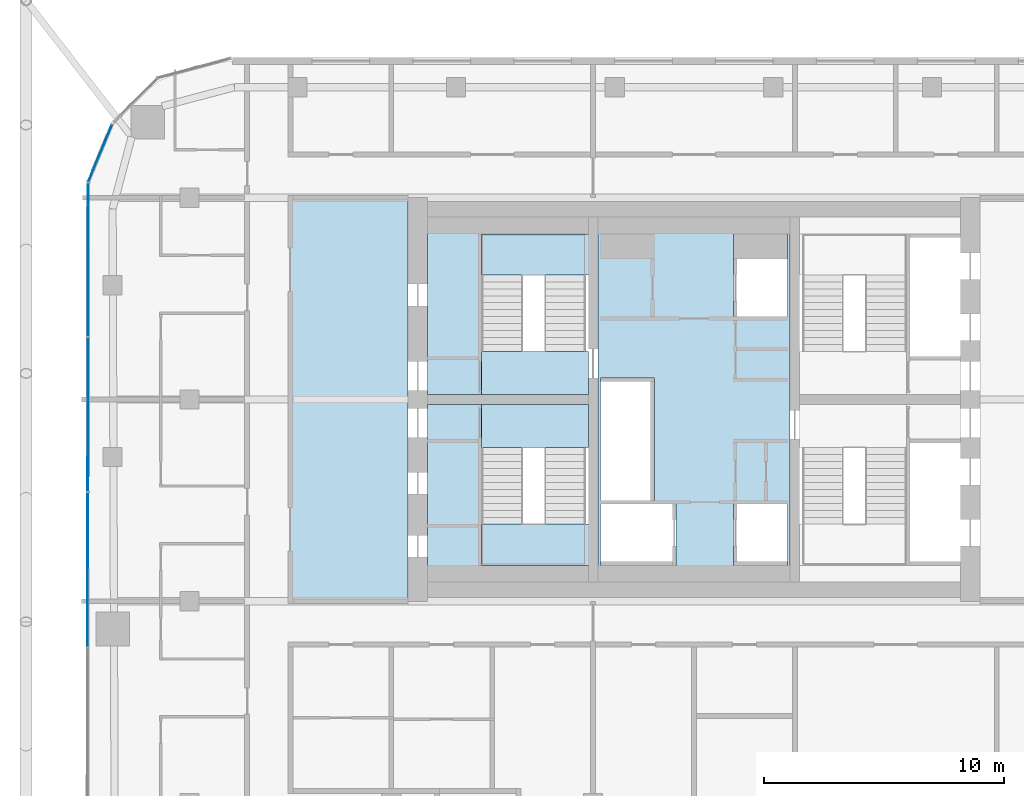
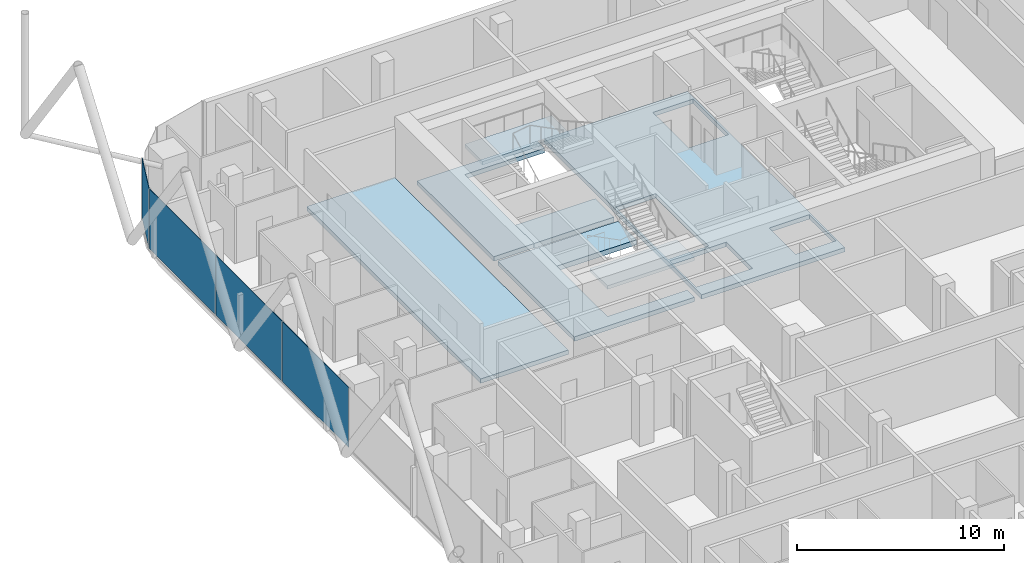
# One storey, part 17 of 28: 8 slabs, 4 plates, 4 elements without a shape of their own.
"""IFC4 building model written with IfcOpenShell, lengths in metres."""

from ifc_helpers import new_model, si_unit, direction, frame, origin, origin_2d, place, context, subcontext, project, spatial, polyline, rectangle, outline, extrude, material, layer, layer_set, type_object, element, aggregate, save


model = new_model("IFC4")

# Units and contexts
model_context = context("Model", 3, precision=1e-05, world=origin(), true_north=direction((0.0, 1.0)))
body_context = subcontext(model_context, "Body", "Model", "MODEL_VIEW")
ifc_project = project(units=[si_unit("LENGTHUNIT", "METRE"), si_unit("AREAUNIT", "SQUARE_METRE"), si_unit("VOLUMEUNIT", "CUBIC_METRE"), si_unit("PLANEANGLEUNIT", "RADIAN"), si_unit("MASSUNIT", "GRAM", prefix="KILO")], contexts=[model_context])

# Site, building, storey
site_placement = place(None, origin())
site = spatial("IfcSite", under=ifc_project, at=site_placement, CompositionType="ELEMENT")
building_placement = place(site_placement, origin())
building = spatial("IfcBuilding", under=site, at=building_placement, Name="Marenta Gate Hotel Tower", CompositionType="ELEMENT")
storey_placement = place(building_placement, frame((0.0, 0.0, 241.699951171875)))
storey = spatial("IfcBuildingStorey", under=building, at=storey_placement, Name="L57", CompositionType="ELEMENT", Elevation=241.699951171875)

# Slabs
ifc_material_1 = material(Name="Concrete C40", Category="concrete")
ifc_layer_1 = layer(ifc_material_1, 0.260009765625)
ifc_layer_set_1 = layer_set([ifc_layer_1], Name="Concrete C40")
slab_type_1 = type_object("IfcSlabType", Name="Core floor slab 260", PredefinedType="FLOOR", material=ifc_layer_set_1)
slab_1_placement = place(storey_placement, frame((0.0, 0.0, -0.260009765625)))
element("IfcSlab", 1, at=slab_1_placement, inside=storey, type_object=slab_type_1, Name="L57-CF-4", PredefinedType="FLOOR", context=body_context, shape_type="SweptSolid", body=[
    extrude(outline(polyline([(4.0, 15.300048828125), (4.0, 10.39990234375), (4.0, 6.39990234375), (4.0, 1.5), (4.0, 0.800048828125), (-4.0, 0.800048828125), (-4.0, 1.5), (-4.0, 6.39990234375), (-4.0, 10.39990234375), (-4.0, 15.300048828125), (-4.0, 16.0), (4.0, 16.0), (4.0, 15.300048828125)]), holes=[polyline([(1.64990234375, 14.25), (1.64990234375, 11.85009765625), (1.800048828125, 11.85009765625), (3.89990234375, 11.85009765625), (3.89990234375, 14.25), (3.89990234375, 15.300048828125), (1.64990234375, 15.300048828125), (1.64990234375, 14.25)]), polyline([(3.89990234375, 1.64990234375), (3.89990234375, 4.050048828125), (1.800048828125, 4.050048828125), (1.64990234375, 4.050048828125), (1.64990234375, 1.64990234375), (1.64990234375, 1.5), (3.89990234375, 1.5), (3.89990234375, 1.64990234375)]), polyline([(-3.89990234375, 1.64990234375), (-3.89990234375, 1.5), (-0.89990234375, 1.5), (-0.75, 1.5), (-0.75, 4.050048828125), (-0.89990234375, 4.050048828125), (-3.89990234375, 4.050048828125), (-3.89990234375, 1.64990234375)]), polyline([(-1.800048828125, 4.199951171875), (-1.64990234375, 4.199951171875), (-1.64990234375, 9.14990234375), (-1.64990234375, 9.300048828125), (-3.89990234375, 9.300048828125), (-3.89990234375, 9.14990234375), (-3.89990234375, 6.75), (-3.89990234375, 6.60009765625), (-3.89990234375, 4.199951171875), (-1.800048828125, 4.199951171875)])]), origin(), (0.0, 0.0, 1.0), 0.260009765625),
])
slab_2_placement = place(storey_placement, frame((0.0, 0.0, -0.260009765625)))
element("IfcSlab", 2, at=slab_2_placement, inside=storey, type_object=slab_type_1, Name="L57-CF-5", PredefinedType="FLOOR", context=body_context, shape_type="SweptSolid", body=[
    extrude(outline(polyline([(-8.85009765625, 8.199951171875), (-8.85009765625, 8.10009765625), (-8.85009765625, 6.39990234375), (-8.85009765625, 1.5), (-4.39990234375, 1.5), (-4.39990234375, 0.800048828125), (-11.10009765625, 0.800048828125), (-11.10009765625, 8.199951171875), (-8.85009765625, 8.199951171875)])), origin(), (0.0, 0.0, 1.0), 0.260009765625),
])
slab_3_placement = place(storey_placement, frame((0.0, 0.0, -0.260009765625)))
element("IfcSlab", 3, at=slab_3_placement, inside=storey, type_object=slab_type_1, Name="L57-CF-6", PredefinedType="FLOOR", context=body_context, shape_type="SweptSolid", body=[
    extrude(outline(polyline([(-4.39990234375, 15.300048828125), (-8.85009765625, 15.300048828125), (-8.85009765625, 10.39990234375), (-8.85009765625, 8.699951171875), (-8.85009765625, 8.60009765625), (-11.10009765625, 8.60009765625), (-11.10009765625, 16.0), (-4.39990234375, 16.0), (-4.39990234375, 15.300048828125)])), origin(), (0.0, 0.0, 1.0), 0.260009765625),
])
slab_4_placement = place(storey_placement, frame((0.0, 0.0, -0.260009765625)))
element("IfcSlab", 4, at=slab_4_placement, inside=storey, type_object=slab_type_1, Name="L57-CF-7", PredefinedType="FLOOR", context=body_context, shape_type="SweptSolid", body=[
    extrude(outline(polyline([(-11.89990234375, 16.800048828125), (-11.89990234375, 0.0), (-16.800048828125, 0.0), (-16.800048828125, 16.800048828125), (-11.89990234375, 16.800048828125)])), origin(), (0.0, 0.0, 1.0), 0.260009765625),
])

# Stair, slab
ifc_material_2 = material(Name="Concrete C40", Category="concrete")
stair_type = type_object("IfcStairType", Name="Core exit stair 1700 wide", PredefinedType="HALF_TURN_STAIR", material=ifc_material_2)
stair_1_placement = place(storey_placement, origin())
stair_1 = element("IfcStair", 5, at=stair_1_placement, inside=storey, type_object=stair_type, Name="Exit stair 1", PredefinedType="HALF_TURN_STAIR")
ifc_material_3 = material(Name="Concrete C40", Category="concrete")
ifc_layer_2 = layer(ifc_material_3, 0.199951171875)
ifc_layer_set_2 = layer_set([ifc_layer_2], Name="Concrete C40")
slab_type_2 = type_object("IfcSlabType", Name="Core stair landing 200", PredefinedType="LANDING", material=ifc_layer_set_2)
slab_5_placement = place(storey_placement, frame((0.0, 0.0, 1.60009765625)))
slab_5 = element("IfcSlab", 6, at=slab_5_placement, type_object=slab_type_2, Name="SL-200 ST1 landing 1", PredefinedType="LANDING", context=body_context, shape_type="SweptSolid", body=[
    extrude(outline(polyline([(-8.85009765625, 1.5), (-4.0, 1.5), (-4.0, 3.2099609375), (-8.85009765625, 3.2099609375), (-8.85009765625, 1.5)])), origin(), (0.0, 0.0, 1.0), 0.199951171875),
])
aggregate(stair_1, [slab_5])

stair_2_placement = place(storey_placement, origin())
stair_2 = element("IfcStair", 7, at=stair_2_placement, inside=storey, type_object=stair_type, Name="Exit stair 2", PredefinedType="HALF_TURN_STAIR")
slab_6_placement = place(storey_placement, frame((0.0, 0.0, 1.60009765625)))
slab_6 = element("IfcSlab", 8, at=slab_6_placement, type_object=slab_type_2, Name="SL-200 ST2 landing 1", PredefinedType="LANDING", context=body_context, shape_type="SweptSolid", body=[
    extrude(outline(polyline([(-8.85009765625, 13.590087890625), (-4.0, 13.590087890625), (-4.0, 15.300048828125), (-8.85009765625, 15.300048828125), (-8.85009765625, 13.590087890625)])), origin(), (0.0, 0.0, 1.0), 0.199951171875),
])
aggregate(stair_2, [slab_6])

# Curtain wall, plate
ifc_material_4 = material(Name="Tinted insulated glass in bronze anodised frame", Category="glass")
ifc_layer_3 = layer(ifc_material_4, 0.1201171875)
ifc_layer_set_3 = layer_set([ifc_layer_3], Name="Tinted insulated glass in bronze anodised frame")
curtain_wall_type = type_object("IfcCurtainWallType", Name="Tower unitised curtain wall CW1", PredefinedType="NOTDEFINED", material=ifc_layer_set_3)
curtain_wall_1_placement = place(storey_placement, origin())
curtain_wall_1 = element("IfcCurtainWall", 9, at=curtain_wall_1_placement, inside=storey, type_object=curtain_wall_type, Name="CW1 run G03", PredefinedType="NOTDEFINED")
ifc_material_5 = material(Name="Tinted insulated glass", Category="glass")
ifc_layer_4 = layer(ifc_material_5, 0.028076171875)
ifc_layer_set_4 = layer_set([ifc_layer_4], Name="Tinted insulated glass")
plate_type = type_object("IfcPlateType", Name="Glass panel CW1 28 mm tinted insulated unit", PredefinedType="CURTAIN_PANEL", material=ifc_layer_set_4)
plate_1_placement = place(storey_placement, frame((-24.719482421875, 18.656005859375, 0.06005859375), z_axis=(0.0, 0.0, 1.0), x_axis=(-0.382666772044, -0.923886433266, 0.0)))
plate_1 = element("IfcPlate", 10, at=plate_1_placement, type_object=plate_type, Name="CW1 panel 1.1", PredefinedType="CURTAIN_PANEL", context=body_context, shape_type="SweptSolid", body=[
    extrude(rectangle(XDim=2.57568359375, YDim=0.028076171875, at=origin_2d()), origin(), (0.0, 0.0, 1.0), 3.5400390625),
])
aggregate(curtain_wall_1, [plate_1])

# Curtain wall, plates
curtain_wall_2_placement = place(storey_placement, origin())
curtain_wall_2 = element("IfcCurtainWall", 11, at=curtain_wall_2_placement, inside=storey, type_object=curtain_wall_type, Name="CW1 run G04", PredefinedType="NOTDEFINED")
plate_2_placement = place(storey_placement, frame((-25.21728515625, 14.22119140625, 0.06005859375), z_axis=(0.0, 0.0, 1.0), x_axis=(-0.001566045546, -0.99999877375, 0.0)))
plate_2 = element("IfcPlate", 12, at=plate_2_placement, type_object=plate_type, Name="CW1 panel 1.1", PredefinedType="CURTAIN_PANEL", context=body_context, shape_type="SweptSolid", body=[
    extrude(rectangle(XDim=6.3701171875, YDim=0.028076171875, at=origin_2d()), origin(), (0.0, 0.0, 1.0), 3.5400390625),
])
plate_3_placement = place(storey_placement, frame((-25.2275390625, 7.776123046875, 0.06005859375), z_axis=(0.0, 0.0, 1.0), x_axis=(-0.001566045546, -0.99999877375, 0.0)))
plate_3 = element("IfcPlate", 13, at=plate_3_placement, type_object=plate_type, Name="CW1 panel 2.1", PredefinedType="CURTAIN_PANEL", context=body_context, shape_type="SweptSolid", body=[
    extrude(rectangle(XDim=6.39990234375, YDim=0.028076171875, at=origin_2d()), origin(), (0.0, 0.0, 1.0), 3.5400390625),
])
plate_4_placement = place(storey_placement, frame((-25.237548828125, 1.316162109375, 0.06005859375), z_axis=(0.0, 0.0, 1.0), x_axis=(-0.001566045546, -0.99999877375, 0.0)))
plate_4 = element("IfcPlate", 14, at=plate_4_placement, type_object=plate_type, Name="CW1 panel 3.1", PredefinedType="CURTAIN_PANEL", context=body_context, shape_type="SweptSolid", body=[
    extrude(rectangle(XDim=6.39990234375, YDim=0.028076171875, at=origin_2d()), origin(), (0.0, 0.0, 1.0), 3.5400390625),
])
aggregate(curtain_wall_2, [plate_2, plate_3, plate_4])

# Slabs
ifc_material_6 = material(Name="Concrete C40", Category="concrete")
ifc_layer_5 = layer(ifc_material_6, 0.300048828125)
ifc_layer_set_5 = layer_set([ifc_layer_5], Name="Concrete C40")
slab_type_3 = type_object("IfcSlabType", Name="Stair floor landing slab 300", PredefinedType="FLOOR", material=ifc_layer_set_5)
slab_7_placement = place(storey_placement, frame((0.0, 0.0, -0.300048828125)))
element("IfcSlab", 15, at=slab_7_placement, inside=storey, type_object=slab_type_3, Name="L57-CL-ST1-1", PredefinedType="FLOOR", context=body_context, shape_type="SweptSolid", body=[
    extrude(outline(polyline([(-4.39990234375, 6.39990234375), (-8.85009765625, 6.39990234375), (-8.85009765625, 8.10009765625), (-8.85009765625, 8.199951171875), (-4.39990234375, 8.199951171875), (-4.39990234375, 6.39990234375)])), origin(), (0.0, 0.0, 1.0), 0.300048828125),
])
slab_8_placement = place(storey_placement, frame((0.0, 0.0, -0.300048828125)))
element("IfcSlab", 16, at=slab_8_placement, inside=storey, type_object=slab_type_3, Name="L57-CL-ST2-1", PredefinedType="FLOOR", context=body_context, shape_type="SweptSolid", body=[
    extrude(outline(polyline([(-4.39990234375, 8.60009765625), (-8.85009765625, 8.60009765625), (-8.85009765625, 8.699951171875), (-8.85009765625, 10.39990234375), (-4.39990234375, 10.39990234375), (-4.39990234375, 8.60009765625)])), origin(), (0.0, 0.0, 1.0), 0.300048828125),
])

save(model, "model.ifc")
